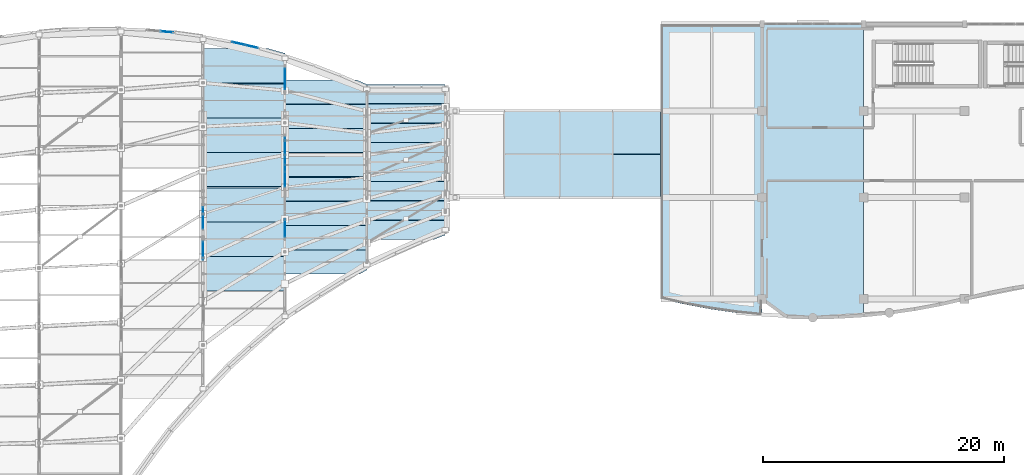
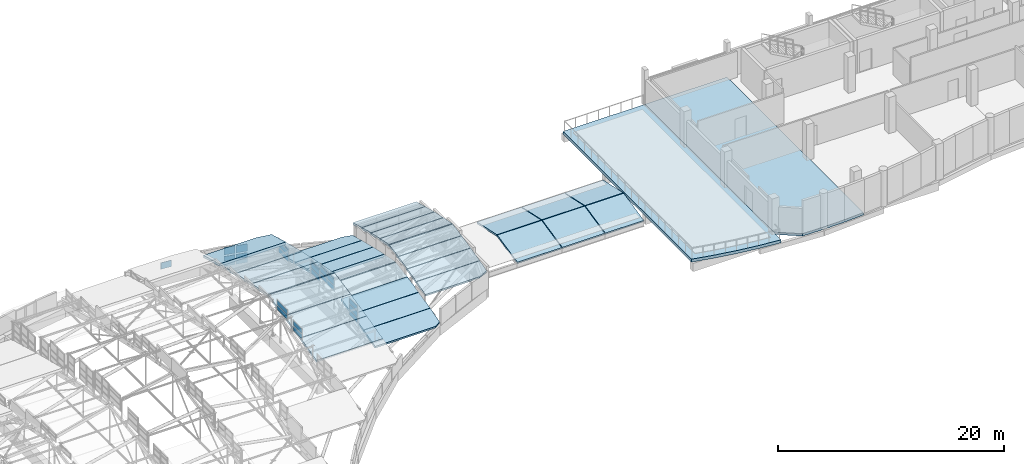
# One storey, part 163 of 188: 31 slabs, 26 plates, 8 elements without a shape of their own.
"""IFC4 building model written with IfcOpenShell, lengths in metres."""

from ifc_helpers import new_model, si_unit, direction, frame, origin, origin_2d, place, context, subcontext, project, spatial, polyline, rectangle, outline, extrude, material, layer, layer_set, type_object, element, aggregate, save


model = new_model("IFC4")

# Units and contexts
model_context = context("Model", 3, precision=1e-05, world=origin(), true_north=direction((0.0, 1.0)))
body_context = subcontext(model_context, "Body", "Model", "MODEL_VIEW")
ifc_project = project(units=[si_unit("LENGTHUNIT", "METRE"), si_unit("AREAUNIT", "SQUARE_METRE"), si_unit("VOLUMEUNIT", "CUBIC_METRE"), si_unit("PLANEANGLEUNIT", "RADIAN"), si_unit("MASSUNIT", "GRAM", prefix="KILO")], contexts=[model_context])

# Site, building, storey
site_placement = place(None, origin())
site = spatial("IfcSite", under=ifc_project, at=site_placement, CompositionType="ELEMENT")
building_placement = place(site_placement, origin())
building = spatial("IfcBuilding", under=site, at=building_placement, Name="Kisaragi Civic Commons", CompositionType="ELEMENT")
storey_placement = place(building_placement, frame((0.0, 0.0, 9.60009765625)))
storey = spatial("IfcBuildingStorey", under=building, at=storey_placement, Name="L02", CompositionType="ELEMENT", Elevation=9.60009765625)

# Curtain wall, plate
ifc_material_1 = material(Name="Thermally broken anodized aluminium and low-E double glazing", Category="aluminium")
ifc_layer_1 = layer(ifc_material_1, 0.2099609375, Name="Thermally broken anodized aluminium and low-E double glazing", Category="aluminium")
ifc_layer_set_1 = layer_set([ifc_layer_1], Name="Thermally broken anodized aluminium and low-E double glazing")
curtain_wall_type_1 = type_object("IfcCurtainWallType", Name="CW-02", PredefinedType="NOTDEFINED", material=ifc_layer_set_1)
curtain_wall_1_placement = place(storey_placement, origin())
curtain_wall_1 = element("IfcCurtainWall", 1, at=curtain_wall_1_placement, inside=storey, type_object=curtain_wall_type_1, Name="L02 curtain wall CW-02 CW-GAB-V2-224", PredefinedType="NOTDEFINED")
ifc_layer_2 = layer(ifc_material_1, 0.052001953125, Name="Thermally broken anodized aluminium and low-E double glazing", Category="aluminium")
ifc_layer_set_2 = layer_set([ifc_layer_2], Name="Thermally broken anodized aluminium and low-E double glazing")
plate_type_1 = type_object("IfcPlateType", Name="CWP-02", PredefinedType="CURTAIN_PANEL", material=ifc_layer_set_2)
plate_1_placement = place(storey_placement, frame((31.006103515625, 118.154541015625, -0.01904296875), z_axis=(0.0, 0.0, 1.0), x_axis=(0.995820521638, -0.091331750688, 0.0)))
plate_1 = element("IfcPlate", 2, at=plate_1_placement, type_object=plate_type_1, Name="CW-02 panel 2.3", PredefinedType="CURTAIN_PANEL", context=body_context, shape_type="SweptSolid", body=[
    extrude(rectangle(XDim=1.044677734375, YDim=0.052001953125, at=origin_2d()), origin(), (0.0, 0.0, 1.0), 0.6962890625),
])
aggregate(curtain_wall_1, [plate_1])

# Curtain wall, plates
curtain_wall_2_placement = place(storey_placement, origin())
curtain_wall_2 = element("IfcCurtainWall", 3, at=curtain_wall_2_placement, inside=storey, type_object=curtain_wall_type_1, Name="L02 curtain wall CW-02 CW-GAB-V2-225", PredefinedType="NOTDEFINED")
plate_2_placement = place(storey_placement, frame((36.9482421875, 117.194580078125, -1.2392578125), z_axis=(0.0, 0.0, 1.0), x_axis=(0.973935448588, -0.226825355689, 0.0)))
plate_2 = element("IfcPlate", 4, at=plate_2_placement, type_object=plate_type_1, Name="CW-02 panel 1.1", PredefinedType="CURTAIN_PANEL", context=body_context, shape_type="SweptSolid", body=[
    extrude(rectangle(XDim=1.044677734375, YDim=0.052001953125, at=origin_2d()), origin(), (0.0, 0.0, 1.0), 0.409912109375),
])
plate_3_placement = place(storey_placement, frame((36.9482421875, 117.194580078125, -0.6689453125), z_axis=(0.0, 0.0, 1.0), x_axis=(0.973935448588, -0.226825355689, 0.0)))
plate_3 = element("IfcPlate", 5, at=plate_3_placement, type_object=plate_type_1, Name="CW-02 panel 1.2", PredefinedType="CURTAIN_PANEL", context=body_context, shape_type="SweptSolid", body=[
    extrude(rectangle(XDim=1.044677734375, YDim=0.052001953125, at=origin_2d()), origin(), (0.0, 0.0, 1.0), 0.489990234375),
])
plate_4_placement = place(storey_placement, frame((36.9482421875, 117.194580078125, -0.01904296875), z_axis=(0.0, 0.0, 1.0), x_axis=(0.973935448588, -0.226825355689, 0.0)))
plate_4 = element("IfcPlate", 6, at=plate_4_placement, type_object=plate_type_1, Name="CW-02 panel 1.3", PredefinedType="CURTAIN_PANEL", context=body_context, shape_type="SweptSolid", body=[
    extrude(rectangle(XDim=1.044677734375, YDim=0.052001953125, at=origin_2d()), origin(), (0.0, 0.0, 1.0), 0.786376953125),
])
plate_5_placement = place(storey_placement, frame((38.03369140625, 116.941650390625, -1.2392578125), z_axis=(0.0, 0.0, 1.0), x_axis=(0.973935448588, -0.226825355689, 0.0)))
plate_5 = element("IfcPlate", 7, at=plate_5_placement, type_object=plate_type_1, Name="CW-02 panel 2.1", PredefinedType="CURTAIN_PANEL", context=body_context, shape_type="SweptSolid", body=[
    extrude(rectangle(XDim=1.044677734375, YDim=0.052001953125, at=origin_2d()), origin(), (0.0, 0.0, 1.0), 0.409912109375),
])
plate_6_placement = place(storey_placement, frame((38.03369140625, 116.941650390625, -0.6689453125), z_axis=(0.0, 0.0, 1.0), x_axis=(0.973935448588, -0.226825355689, 0.0)))
plate_6 = element("IfcPlate", 8, at=plate_6_placement, type_object=plate_type_1, Name="CW-02 panel 2.2", PredefinedType="CURTAIN_PANEL", context=body_context, shape_type="SweptSolid", body=[
    extrude(rectangle(XDim=1.044677734375, YDim=0.052001953125, at=origin_2d()), origin(), (0.0, 0.0, 1.0), 0.489990234375),
])
plate_7_placement = place(storey_placement, frame((38.03369140625, 116.941650390625, -0.01904296875), z_axis=(0.0, 0.0, 1.0), x_axis=(0.973935448588, -0.226825355689, 0.0)))
plate_7 = element("IfcPlate", 9, at=plate_7_placement, type_object=plate_type_1, Name="CW-02 panel 2.3", PredefinedType="CURTAIN_PANEL", context=body_context, shape_type="SweptSolid", body=[
    extrude(rectangle(XDim=1.044677734375, YDim=0.052001953125, at=origin_2d()), origin(), (0.0, 0.0, 1.0), 0.786376953125),
])
aggregate(curtain_wall_2, [plate_2, plate_3, plate_4, plate_5, plate_6, plate_7])

ifc_layer_3 = layer(ifc_material_1, 0.14990234375, Name="Thermally broken anodized aluminium and low-E double glazing", Category="aluminium")
ifc_layer_set_3 = layer_set([ifc_layer_3], Name="Thermally broken anodized aluminium and low-E double glazing")
curtain_wall_type_2 = type_object("IfcCurtainWallType", Name="CW-03", PredefinedType="NOTDEFINED", material=ifc_layer_set_3)
curtain_wall_3_placement = place(storey_placement, origin())
curtain_wall_3 = element("IfcCurtainWall", 10, at=curtain_wall_3_placement, inside=storey, type_object=curtain_wall_type_2, Name="L02 curtain wall CW-03 CW-CL-V2-212", PredefinedType="NOTDEFINED")
ifc_layer_4 = layer(ifc_material_1, 0.0380859375, Name="Thermally broken anodized aluminium and low-E double glazing", Category="aluminium")
ifc_layer_set_4 = layer_set([ifc_layer_4], Name="Thermally broken anodized aluminium and low-E double glazing")
plate_type_2 = type_object("IfcPlateType", Name="CWP-03", PredefinedType="CURTAIN_PANEL", material=ifc_layer_set_4)
plate_8_placement = place(storey_placement, frame((34.0, 102.703857421875, 3.252685546875), z_axis=(0.0, 0.0, 1.0), x_axis=(0.0, 1.0, 0.0)))
plate_8 = element("IfcPlate", 11, at=plate_8_placement, type_object=plate_type_2, Name="CW-03 panel 1.1", PredefinedType="CURTAIN_PANEL", context=body_context, shape_type="SweptSolid", body=[
    extrude(rectangle(XDim=1.806396484375, YDim=0.0380859375, at=origin_2d()), origin(), (0.0, 0.0, 1.0), 0.44921875),
])
plate_9_placement = place(storey_placement, frame((34.0, 102.703857421875, 3.82177734375), z_axis=(0.0, 0.0, 1.0), x_axis=(0.0, 1.0, 0.0)))
plate_9 = element("IfcPlate", 12, at=plate_9_placement, type_object=plate_type_2, Name="CW-03 panel 1.2", PredefinedType="CURTAIN_PANEL", context=body_context, shape_type="SweptSolid", body=[
    extrude(rectangle(XDim=1.806396484375, YDim=0.0380859375, at=origin_2d()), origin(), (0.0, 0.0, 1.0), 0.44921875),
])
aggregate(curtain_wall_3, [plate_8, plate_9])

curtain_wall_4_placement = place(storey_placement, origin())
curtain_wall_4 = element("IfcCurtainWall", 13, at=curtain_wall_4_placement, inside=storey, type_object=curtain_wall_type_2, Name="L02 curtain wall CW-03 CW-CL-V2-214", PredefinedType="NOTDEFINED")
plate_10_placement = place(storey_placement, frame((40.800048828125, 101.88623046875, 0.9521484375), z_axis=(0.0, 0.0, 1.0), x_axis=(0.0, 1.0, 0.0)))
plate_10 = element("IfcPlate", 14, at=plate_10_placement, type_object=plate_type_2, Name="CW-03 panel 1.1", PredefinedType="CURTAIN_PANEL", context=body_context, shape_type="SweptSolid", body=[
    extrude(rectangle(XDim=1.42822265625, YDim=0.0380859375, at=origin_2d()), origin(), (0.0, 0.0, 1.0), 0.469970703125),
])
plate_11_placement = place(storey_placement, frame((40.800048828125, 101.88623046875, 1.54248046875), z_axis=(0.0, 0.0, 1.0), x_axis=(0.0, 1.0, 0.0)))
plate_11 = element("IfcPlate", 15, at=plate_11_placement, type_object=plate_type_2, Name="CW-03 panel 1.2", PredefinedType="CURTAIN_PANEL", context=body_context, shape_type="SweptSolid", body=[
    extrude(rectangle(XDim=1.42822265625, YDim=0.0380859375, at=origin_2d()), origin(), (0.0, 0.0, 1.0), 0.530029296875),
])
plate_12_placement = place(storey_placement, frame((40.800048828125, 101.88623046875, 2.1923828125), z_axis=(0.0, 0.0, 1.0), x_axis=(0.0, 1.0, 0.0)))
plate_12 = element("IfcPlate", 16, at=plate_12_placement, type_object=plate_type_2, Name="CW-03 panel 1.3", PredefinedType="CURTAIN_PANEL", context=body_context, shape_type="SweptSolid", body=[
    extrude(rectangle(XDim=1.42822265625, YDim=0.0380859375, at=origin_2d()), origin(), (0.0, 0.0, 1.0), 0.536376953125),
])
aggregate(curtain_wall_4, [plate_10, plate_11, plate_12])

curtain_wall_5_placement = place(storey_placement, origin())
curtain_wall_5 = element("IfcCurtainWall", 17, at=curtain_wall_5_placement, inside=storey, type_object=curtain_wall_type_2, Name="L02 curtain wall CW-03 CW-CL-V2-216", PredefinedType="NOTDEFINED")
plate_13_placement = place(storey_placement, frame((40.800048828125, 105.915283203125, 1.88330078125), z_axis=(0.0, 0.0, 1.0), x_axis=(0.0, 1.0, 0.0)))
plate_13 = element("IfcPlate", 18, at=plate_13_placement, type_object=plate_type_2, Name="CW-03 panel 1.1", PredefinedType="CURTAIN_PANEL", context=body_context, shape_type="SweptSolid", body=[
    extrude(rectangle(XDim=1.186767578125, YDim=0.0380859375, at=origin_2d()), origin(), (0.0, 0.0, 1.0), 0.469970703125),
])
plate_14_placement = place(storey_placement, frame((40.800048828125, 105.915283203125, 2.47314453125), z_axis=(0.0, 0.0, 1.0), x_axis=(0.0, 1.0, 0.0)))
plate_14 = element("IfcPlate", 19, at=plate_14_placement, type_object=plate_type_2, Name="CW-03 panel 1.2", PredefinedType="CURTAIN_PANEL", context=body_context, shape_type="SweptSolid", body=[
    extrude(rectangle(XDim=1.186767578125, YDim=0.0380859375, at=origin_2d()), origin(), (0.0, 0.0, 1.0), 0.530029296875),
])
plate_15_placement = place(storey_placement, frame((40.800048828125, 105.915283203125, 3.12353515625), z_axis=(0.0, 0.0, 1.0), x_axis=(0.0, 1.0, 0.0)))
plate_15 = element("IfcPlate", 20, at=plate_15_placement, type_object=plate_type_2, Name="CW-03 panel 1.3", PredefinedType="CURTAIN_PANEL", context=body_context, shape_type="SweptSolid", body=[
    extrude(rectangle(XDim=1.186767578125, YDim=0.0380859375, at=origin_2d()), origin(), (0.0, 0.0, 1.0), 0.139404296875),
])
plate_16_placement = place(storey_placement, frame((40.800048828125, 107.161865234375, 1.88330078125), z_axis=(0.0, 0.0, 1.0), x_axis=(0.0, 1.0, 0.0)))
plate_16 = element("IfcPlate", 21, at=plate_16_placement, type_object=plate_type_2, Name="CW-03 panel 2.1", PredefinedType="CURTAIN_PANEL", context=body_context, shape_type="SweptSolid", body=[
    extrude(rectangle(XDim=1.186767578125, YDim=0.0380859375, at=origin_2d()), origin(), (0.0, 0.0, 1.0), 0.469970703125),
])
plate_17_placement = place(storey_placement, frame((40.800048828125, 107.161865234375, 2.47314453125), z_axis=(0.0, 0.0, 1.0), x_axis=(0.0, 1.0, 0.0)))
plate_17 = element("IfcPlate", 22, at=plate_17_placement, type_object=plate_type_2, Name="CW-03 panel 2.2", PredefinedType="CURTAIN_PANEL", context=body_context, shape_type="SweptSolid", body=[
    extrude(rectangle(XDim=1.186767578125, YDim=0.0380859375, at=origin_2d()), origin(), (0.0, 0.0, 1.0), 0.530029296875),
])
plate_18_placement = place(storey_placement, frame((40.800048828125, 107.161865234375, 3.12353515625), z_axis=(0.0, 0.0, 1.0), x_axis=(0.0, 1.0, 0.0)))
plate_18 = element("IfcPlate", 23, at=plate_18_placement, type_object=plate_type_2, Name="CW-03 panel 2.3", PredefinedType="CURTAIN_PANEL", context=body_context, shape_type="SweptSolid", body=[
    extrude(rectangle(XDim=1.186767578125, YDim=0.0380859375, at=origin_2d()), origin(), (0.0, 0.0, 1.0), 0.139404296875),
])
aggregate(curtain_wall_5, [plate_13, plate_14, plate_15, plate_16, plate_17, plate_18])

curtain_wall_6_placement = place(storey_placement, origin())
curtain_wall_6 = element("IfcCurtainWall", 24, at=curtain_wall_6_placement, inside=storey, type_object=curtain_wall_type_2, Name="L02 curtain wall CW-03 CW-CL-V2-211", PredefinedType="NOTDEFINED")
ifc_layer_5 = layer(ifc_material_1, 0.041015625, Name="Thermally broken anodized aluminium and low-E double glazing", Category="aluminium")
ifc_layer_set_5 = layer_set([ifc_layer_5], Name="Thermally broken anodized aluminium and low-E double glazing")
plate_type_3 = type_object("IfcPlateType", Name="CWP-11", PredefinedType="CURTAIN_PANEL", material=ifc_layer_set_5)
plate_19_placement = place(storey_placement, frame((34.0, 99.982421875, 2.700439453125), z_axis=(0.0, 0.0, 1.0), x_axis=(0.0, 1.0, 0.0)))
plate_19 = element("IfcPlate", 25, at=plate_19_placement, type_object=plate_type_3, Name="CW-03 panel 1.1", PredefinedType="CURTAIN_PANEL", context=body_context, shape_type="SweptSolid", body=[
    extrude(rectangle(XDim=1.499755859375, YDim=0.041015625, at=origin_2d()), origin(), (0.0, 0.0, 1.0), 0.4755859375),
])
plate_20_placement = place(storey_placement, frame((34.0, 99.982421875, 3.296142578125), z_axis=(0.0, 0.0, 1.0), x_axis=(0.0, 1.0, 0.0)))
plate_20 = element("IfcPlate", 26, at=plate_20_placement, type_object=plate_type_3, Name="CW-03 panel 1.2", PredefinedType="CURTAIN_PANEL", context=body_context, shape_type="SweptSolid", body=[
    extrude(rectangle(XDim=1.499755859375, YDim=0.041015625, at=origin_2d()), origin(), (0.0, 0.0, 1.0), 0.4755859375),
])
aggregate(curtain_wall_6, [plate_19, plate_20])

curtain_wall_7_placement = place(storey_placement, origin())
curtain_wall_7 = element("IfcCurtainWall", 27, at=curtain_wall_7_placement, inside=storey, type_object=curtain_wall_type_2, Name="L02 curtain wall CW-03 CW-CL-V2-217", PredefinedType="NOTDEFINED")
plate_21_placement = place(storey_placement, frame((40.800048828125, 108.628173828125, 1.35546875), z_axis=(0.0, 0.0, 1.0), x_axis=(0.0, 1.0, 0.0)))
plate_21 = element("IfcPlate", 28, at=plate_21_placement, type_object=plate_type_3, Name="CW-03 panel 1.1", PredefinedType="CURTAIN_PANEL", context=body_context, shape_type="SweptSolid", body=[
    extrude(rectangle(XDim=1.45751953125, YDim=0.041015625, at=origin_2d()), origin(), (0.0, 0.0, 1.0), 0.469970703125),
])
plate_22_placement = place(storey_placement, frame((40.800048828125, 108.628173828125, 1.9453125), z_axis=(0.0, 0.0, 1.0), x_axis=(0.0, 1.0, 0.0)))
plate_22 = element("IfcPlate", 29, at=plate_22_placement, type_object=plate_type_3, Name="CW-03 panel 1.2", PredefinedType="CURTAIN_PANEL", context=body_context, shape_type="SweptSolid", body=[
    extrude(rectangle(XDim=1.45751953125, YDim=0.041015625, at=origin_2d()), origin(), (0.0, 0.0, 1.0), 0.530029296875),
])
plate_23_placement = place(storey_placement, frame((40.800048828125, 108.628173828125, 2.595458984375), z_axis=(0.0, 0.0, 1.0), x_axis=(0.0, 1.0, 0.0)))
plate_23 = element("IfcPlate", 30, at=plate_23_placement, type_object=plate_type_3, Name="CW-03 panel 1.3", PredefinedType="CURTAIN_PANEL", context=body_context, shape_type="SweptSolid", body=[
    extrude(rectangle(XDim=1.45751953125, YDim=0.041015625, at=origin_2d()), origin(), (0.0, 0.0, 1.0), 0.1396484375),
])
aggregate(curtain_wall_7, [plate_21, plate_22, plate_23])

curtain_wall_8_placement = place(storey_placement, origin())
curtain_wall_8 = element("IfcCurtainWall", 31, at=curtain_wall_8_placement, inside=storey, type_object=curtain_wall_type_2, Name="L02 curtain wall CW-03 CW-CL-V2-219", PredefinedType="NOTDEFINED")
plate_24_placement = place(storey_placement, frame((40.800048828125, 114.249267578125, 0.125), z_axis=(0.0, 0.0, 1.0), x_axis=(0.0, 1.0, 0.0)))
plate_24 = element("IfcPlate", 32, at=plate_24_placement, type_object=plate_type_3, Name="CW-03 panel 1.1", PredefinedType="CURTAIN_PANEL", context=body_context, shape_type="SweptSolid", body=[
    extrude(rectangle(XDim=1.714599609375, YDim=0.041015625, at=origin_2d()), origin(), (0.0, 0.0, 1.0), 0.469970703125),
])
plate_25_placement = place(storey_placement, frame((40.800048828125, 114.249267578125, 0.71484375), z_axis=(0.0, 0.0, 1.0), x_axis=(0.0, 1.0, 0.0)))
plate_25 = element("IfcPlate", 33, at=plate_25_placement, type_object=plate_type_3, Name="CW-03 panel 1.2", PredefinedType="CURTAIN_PANEL", context=body_context, shape_type="SweptSolid", body=[
    extrude(rectangle(XDim=1.714599609375, YDim=0.041015625, at=origin_2d()), origin(), (0.0, 0.0, 1.0), 0.530029296875),
])
plate_26_placement = place(storey_placement, frame((40.800048828125, 114.249267578125, 1.36474609375), z_axis=(0.0, 0.0, 1.0), x_axis=(0.0, 1.0, 0.0)))
plate_26 = element("IfcPlate", 34, at=plate_26_placement, type_object=plate_type_3, Name="CW-03 panel 1.3", PredefinedType="CURTAIN_PANEL", context=body_context, shape_type="SweptSolid", body=[
    extrude(rectangle(XDim=1.714599609375, YDim=0.041015625, at=origin_2d()), origin(), (0.0, 0.0, 1.0), 0.126708984375),
])
aggregate(curtain_wall_8, [plate_24, plate_25, plate_26])

# Slabs
ifc_material_2 = material(Name="Concrete Fc30", Category="concrete")
ifc_layer_6 = layer(ifc_material_2, 0.260009765625, Name="Concrete Fc30", Category="concrete")
ifc_layer_set_6 = layer_set([ifc_layer_6], Name="Concrete Fc30")
slab_type_1 = type_object("IfcSlabType", Name="SL-F2", PredefinedType="FLOOR", material=ifc_layer_set_6)
slab_1_placement = place(storey_placement, frame((0.0, 0.0, -0.260009765625)))
element("IfcSlab", 35, at=slab_1_placement, inside=storey, type_object=slab_type_1, Name="V4 L02 slab SL-F2 46", PredefinedType="FLOOR", context=body_context, shape_type="SweptSolid", body=[
    extrude(outline(polyline([(80.39990234375, 118.800048828125), (80.39990234375, 96.0), (82.4794921875, 94.49365234375), (84.60009765625, 94.450439453125), (86.720458984375, 94.49365234375), (88.800048828125, 94.62109375), (88.800048828125, 118.800048828125), (80.39990234375, 118.800048828125)])), origin(), (0.0, 0.0, 1.0), 0.260009765625),
])
ifc_layer_7 = layer(ifc_material_2, 0.18994140625, Name="Concrete Fc30", Category="concrete")
ifc_layer_set_7 = layer_set([ifc_layer_7], Name="Concrete Fc30")
slab_type_2 = type_object("IfcSlabType", Name="SL-RF2", PredefinedType="ROOF", material=ifc_layer_set_7)
for number, where, z_axis, x_axis, name in (
    (36, (59.030029296875, 104.39990234375, -0.89013671875), (0.0, -0.214730544714, 0.976673329812), (1.0, 0.0, 0.0), "BR-V4-V2 gable roof facet 1"),
    (37, (59.030029296875, 108.030029296875, -0.105224609375), (0.0, 0.214730544714, 0.976673329812), (1.0, 0.0, 0.0), "BR-V4-V2 gable roof facet 2"),
):
    element("IfcSlab", number, at=place(storey_placement, frame(where, z_axis=z_axis, x_axis=x_axis)), inside=storey, type_object=slab_type_2, Name=name, PredefinedType="ROOF", context=body_context, shape_type="SweptSolid", body=[
        extrude(outline(polyline([(0.0, 0.0), (4.5400390625, 0.0), (4.5400390625, 3.655335157007359), (0.0, 3.655335157007359), (0.0, 0.0)])), origin(), (0.0, 0.0, -1.0), 0.18994140625),
    ])
for number, where, z_axis, x_axis, name in (
    (38, (63.6298828125, 104.39990234375, -0.89013671875), (0.0, -0.214730544714, 0.976673329812), (1.0, 0.0, 0.0), "BR-V4-V2 gable roof facet 3"),
    (39, (63.6298828125, 108.030029296875, -0.105224609375), (0.0, 0.214730544714, 0.976673329812), (1.0, 0.0, 0.0), "BR-V4-V2 gable roof facet 4"),
):
    element("IfcSlab", number, at=place(storey_placement, frame(where, z_axis=z_axis, x_axis=x_axis)), inside=storey, type_object=slab_type_2, Name=name, PredefinedType="ROOF", context=body_context, shape_type="SweptSolid", body=[
        extrude(outline(polyline([(0.0, 0.0), (4.340087890625, 0.0), (4.340087890625, 3.655335157007359), (0.0, 3.655335157007359), (0.0, 0.0)])), origin(), (0.0, 0.0, -1.0), 0.18994140625),
    ])
for number, where, z_axis, x_axis, name in (
    (40, (68.030029296875, 104.39990234375, -0.89013671875), (0.0, -0.214730544714, 0.976673329812), (1.0, 0.0, 0.0), "BR-V4-V2 gable roof facet 5"),
    (41, (68.030029296875, 108.030029296875, -0.105224609375), (0.0, 0.214730544714, 0.976673329812), (1.0, 0.0, 0.0), "BR-V4-V2 gable roof facet 6"),
):
    element("IfcSlab", number, at=place(storey_placement, frame(where, z_axis=z_axis, x_axis=x_axis)), inside=storey, type_object=slab_type_2, Name=name, PredefinedType="ROOF", context=body_context, shape_type="SweptSolid", body=[
        extrude(outline(polyline([(0.0, 0.0), (3.93994140625, 0.0), (3.93994140625, 3.655335157007359), (0.0, 3.655335157007359), (0.0, 0.0)])), origin(), (0.0, 0.0, -1.0), 0.18994140625),
    ])
ifc_layer_8 = layer(ifc_material_2, 0.320068359375, Name="Concrete Fc30", Category="concrete")
ifc_layer_set_8 = layer_set([ifc_layer_8], Name="Concrete Fc30")
slab_type_3 = type_object("IfcSlabType", Name="SL-TR1", PredefinedType="FLOOR", material=ifc_layer_set_8)
slab_2_placement = place(storey_placement, frame((0.0, 0.0, -0.320068359375)))
element("IfcSlab", 42, at=slab_2_placement, inside=storey, type_object=slab_type_3, Name="V4 L02 planted roof terrace slab 56", PredefinedType="FLOOR", context=body_context, shape_type="SweptSolid", body=[
    extrude(outline(polyline([(72.0, 96.0), (74.06787109375, 95.528076171875), (76.153076171875, 95.14111328125), (78.25244140625, 94.839111328125), (80.362548828125, 94.623291015625), (80.39990234375, 96.0), (80.39990234375, 118.800048828125), (72.0, 118.800048828125), (72.0, 96.0)])), origin(), (0.0, 0.0, 1.0), 0.320068359375),
])
ifc_layer_9 = layer(ifc_material_2, 0.238037109375, Name="Concrete Fc30", Category="concrete")
ifc_layer_set_9 = layer_set([ifc_layer_9], Name="Concrete Fc30")
slab_type_4 = type_object("IfcSlabType", Name="SL-WV2", PredefinedType="ROOF", material=ifc_layer_set_9)
slab_3_placement = place(storey_placement, frame((40.794921875, 99.5048828125, 2.64990234375), z_axis=(0.0, -0.241949887573, 0.970288746664), x_axis=(-1.0, 0.0, 0.0)))
element("IfcSlab", 43, at=slab_3_placement, inside=storey, type_object=slab_type_4, Name="V2 continuous wave vault facet 6.2", PredefinedType="ROOF", context=body_context, shape_type="SweptSolid", body=[
    extrude(outline(polyline([(0.0, 0.0), (6.7900390625, 0.0), (6.7900390625, 2.942402948158057), (0.0, 2.942402948158057), (0.0, 0.0)])), origin(), (0.0, 0.0, -1.0), 0.238037109375),
])
slab_4_placement = place(storey_placement, frame((40.794921875, 102.379638671875, 3.28759765625), z_axis=(0.0, -0.216497255319, 0.976283226548), x_axis=(-1.0, 0.0, 0.0)))
element("IfcSlab", 44, at=slab_4_placement, inside=storey, type_object=slab_type_4, Name="V2 continuous wave vault facet 6.3", PredefinedType="ROOF", context=body_context, shape_type="SweptSolid", body=[
    extrude(outline(polyline([(0.0, 0.0), (6.7900390625, 0.0), (6.7900390625, 2.9240862185229797), (0.0, 2.9240862185229797), (0.0, 0.0)])), origin(), (0.0, 0.0, -1.0), 0.238037109375),
])
slab_5_placement = place(storey_placement, frame((40.794921875, 105.212646484375, 3.83837890625), z_axis=(0.0, -0.19075563979, 0.981637553218), x_axis=(-1.0, 0.0, 0.0)))
element("IfcSlab", 45, at=slab_5_placement, inside=storey, type_object=slab_type_4, Name="V2 continuous wave vault facet 6.4", PredefinedType="ROOF", context=body_context, shape_type="SweptSolid", body=[
    extrude(outline(polyline([(0.0, 0.0), (6.7900390625, 0.0), (6.7900390625, 2.8656078529468894), (0.0, 2.8656078529468894), (0.0, 0.0)])), origin(), (0.0, 0.0, -1.0), 0.238037109375),
])
slab_6_placement = place(storey_placement, frame((40.794921875, 108.12939453125, 3.291748046875), z_axis=(0.0, 0.190771594447, 0.981634452712), x_axis=(-1.0, 0.0, 0.0)))
element("IfcSlab", 46, at=slab_6_placement, inside=storey, type_object=slab_type_4, Name="V2 continuous wave vault facet 6.5", PredefinedType="ROOF", context=body_context, shape_type="SweptSolid", body=[
    extrude(outline(polyline([(0.0, 0.0), (6.7900390625, 0.0), (6.7900390625, 2.865368195719587), (0.0, 2.865368195719587), (0.0, 0.0)])), origin(), (0.0, 0.0, -1.0), 0.238037109375),
])
slab_7_placement = place(storey_placement, frame((40.794921875, 111.00439453125, 2.654541015625), z_axis=(0.0, 0.216479609428, 0.976287139474), x_axis=(-1.0, 0.0, 0.0)))
element("IfcSlab", 47, at=slab_7_placement, inside=storey, type_object=slab_type_4, Name="V2 continuous wave vault facet 6.6", PredefinedType="ROOF", context=body_context, shape_type="SweptSolid", body=[
    extrude(outline(polyline([(0.0, 0.0), (6.7900390625, 0.0), (6.7900390625, 2.9243245693977573), (0.0, 2.9243245693977573), (0.0, 0.0)])), origin(), (0.0, 0.0, -1.0), 0.238037109375),
])
slab_8_placement = place(storey_placement, frame((40.794921875, 113.879150390625, 1.93798828125), z_axis=(0.0, 0.241969367987, 0.970283888847), x_axis=(-1.0, 0.0, 0.0)))
element("IfcSlab", 48, at=slab_8_placement, inside=storey, type_object=slab_type_4, Name="V2 continuous wave vault facet 6.7", PredefinedType="ROOF", context=body_context, shape_type="SweptSolid", body=[
    extrude(outline(polyline([(0.0, 0.0), (6.7900390625, 0.0), (6.7900390625, 2.9421660618499867), (0.0, 2.9421660618499867), (0.0, 0.0)])), origin(), (0.0, 0.0, -1.0), 0.238037109375),
])
slab_9_placement = place(storey_placement, frame((39.46337890625, 116.756103515625, 1.140625), z_axis=(-1.097811e-06, 0.267218645401, 0.963635924791), x_axis=(-0.999999999999, -2.93355e-07, -1.05789e-06)))
element("IfcSlab", 49, at=slab_9_placement, inside=storey, type_object=slab_type_4, Name="V2 continuous wave vault facet 6.8", PredefinedType="ROOF", context=body_context, shape_type="SweptSolid", body=[
    extrude(outline(polyline([(0.0, 0.0), (5.458496093746711, 0.0), (5.458496093745106, 2.964744164122115), (-1.3315429687508027, 2.964744164122115), (-1.3315429687655642, 0.38915525474160023), (0.0, 0.0)])), origin(), (0.0, 0.0, -1.0), 0.238037109375),
])
slab_10_placement = place(storey_placement, frame((47.594970703125, 100.057373046875, 0.779296875), z_axis=(5.845359e-06, -0.267171774741, 0.963648920898), x_axis=(-0.999999999983, -1.561715e-06, 5.632874e-06)))
element("IfcSlab", 50, at=slab_10_placement, inside=storey, type_object=slab_type_4, Name="V2 continuous wave vault facet 7.1", PredefinedType="ROOF", context=body_context, shape_type="SweptSolid", body=[
    extrude(outline(polyline([(0.0, 0.0), (6.790039062383999, 0.0), (6.790039062404553, 2.0734168763819243), (0.6015625000102772, 2.0734168763819243), (-4.4345278793386824e-10, 1.7286292932658482), (0.0, 0.0)])), origin(), (0.0, 0.0, -1.0), 0.238037109375),
])
slab_11_placement = place(storey_placement, frame((47.594970703125, 102.073486328125, 1.2822265625), z_axis=(0.0, -0.241865386564, 0.970309813813), x_axis=(-1.0, 0.0, 0.0)))
element("IfcSlab", 51, at=slab_11_placement, inside=storey, type_object=slab_type_4, Name="V2 continuous wave vault facet 7.2", PredefinedType="ROOF", context=body_context, shape_type="SweptSolid", body=[
    extrude(outline(polyline([(0.0, 0.0), (6.7900390625, 0.0), (6.7900390625, 2.057171556531817), (0.0, 2.057171556531817), (0.0, 0.0)])), origin(), (0.0, 0.0, -1.0), 0.238037109375),
])
slab_12_placement = place(storey_placement, frame((47.594970703125, 104.089599609375, 1.7294921875), z_axis=(0.0, -0.216374104287, 0.976310527954), x_axis=(-1.0, 0.0, 0.0)))
element("IfcSlab", 52, at=slab_12_placement, inside=storey, type_object=slab_type_4, Name="V2 continuous wave vault facet 7.3", PredefinedType="ROOF", context=body_context, shape_type="SweptSolid", body=[
    extrude(outline(polyline([(0.0, 0.0), (6.7900390625, 0.0), (6.7900390625, 2.0445275277150152), (0.0, 2.0445275277150152), (0.0, 0.0)])), origin(), (0.0, 0.0, -1.0), 0.238037109375),
])
slab_13_placement = place(storey_placement, frame((47.594970703125, 106.063720703125, 2.113525390625), z_axis=(0.0, -0.190830267756, 0.981623048277), x_axis=(-1.0, 0.0, 0.0)))
element("IfcSlab", 53, at=slab_13_placement, inside=storey, type_object=slab_type_4, Name="V2 continuous wave vault facet 7.4", PredefinedType="ROOF", context=body_context, shape_type="SweptSolid", body=[
    extrude(outline(polyline([(0.0, 0.0), (6.7900390625, 0.0), (6.7900390625, 1.9906842712489219), (0.0, 1.9906842712489219), (0.0, 0.0)])), origin(), (0.0, 0.0, -1.0), 0.238037109375),
])
slab_14_placement = place(storey_placement, frame((47.594970703125, 108.12158203125, 1.733642578125), z_axis=(0.0, 0.190853244102, 0.981618581332), x_axis=(-1.0, 0.0, 0.0)))
element("IfcSlab", 54, at=slab_14_placement, inside=storey, type_object=slab_type_4, Name="V2 continuous wave vault facet 7.5", PredefinedType="ROOF", context=body_context, shape_type="SweptSolid", body=[
    extrude(outline(polyline([(0.0, 0.0), (6.7900390625, 0.0), (6.7900390625, 1.9904446177296498), (0.0, 1.9904446177296498), (0.0, 0.0)])), origin(), (0.0, 0.0, -1.0), 0.238037109375),
])
slab_15_placement = place(storey_placement, frame((47.594970703125, 110.1376953125, 1.287109375), z_axis=(0.0, 0.216374104287, 0.976310527954), x_axis=(-1.0, 0.0, 0.0)))
element("IfcSlab", 55, at=slab_15_placement, inside=storey, type_object=slab_type_4, Name="V2 continuous wave vault facet 7.6", PredefinedType="ROOF", context=body_context, shape_type="SweptSolid", body=[
    extrude(outline(polyline([(0.0, 0.0), (6.7900390625, 0.0), (6.7900390625, 2.0445275277150152), (0.0, 2.0445275277150152), (0.0, 0.0)])), origin(), (0.0, 0.0, -1.0), 0.238037109375),
])
slab_16_placement = place(storey_placement, frame((47.594970703125, 112.15380859375, 0.78466796875), z_axis=(0.0, 0.241865386564, 0.970309813813), x_axis=(-1.0, 0.0, 0.0)))
element("IfcSlab", 56, at=slab_16_placement, inside=storey, type_object=slab_type_4, Name="V2 continuous wave vault facet 7.7", PredefinedType="ROOF", context=body_context, shape_type="SweptSolid", body=[
    extrude(outline(polyline([(0.0, 0.0), (6.7900390625, 0.0), (6.7900390625, 2.057171556531817), (0.0, 2.057171556531817), (0.0, 0.0)])), origin(), (0.0, 0.0, -1.0), 0.238037109375),
])
slab_17_placement = place(storey_placement, frame((46.740234375, 114.172119140625, 0.22509765625), z_axis=(-1.1833168e-05, 0.267244456093, 0.963628766978), x_axis=(-0.99999999993, -3.162349e-06, -1.1402781e-05)))
element("IfcSlab", 57, at=slab_17_placement, inside=storey, type_object=slab_type_4, Name="V2 continuous wave vault facet 7.8", PredefinedType="ROOF", context=body_context, shape_type="SweptSolid", body=[
    extrude(outline(polyline([(0.0, 0.0), (5.935302733959459, 0.0), (5.935302733839775, 2.0737173763771204), (-0.8547363281848418, 2.0737173763771204), (-0.8547363299666934, 0.3876784441960529), (0.0, 0.0)])), origin(), (0.0, 0.0, -1.0), 0.238037109375),
])
slab_18_placement = place(storey_placement, frame((54.094970703125, 102.519775390625, 2.150390625), z_axis=(1.577692e-06, -0.267293966854, 0.963615034794), x_axis=(-0.999999999999, -4.21708e-07, 1.520288e-06)))
element("IfcSlab", 58, at=slab_18_placement, inside=storey, type_object=slab_type_4, Name="V2 continuous wave vault facet 8.1", PredefinedType="ROOF", context=body_context, shape_type="SweptSolid", body=[
    extrude(outline(polyline([(0.0, 0.0), (6.489990234366923, -3.4357722224214273e-22), (6.48999023436927, 1.6513941134930366), (0.9428710937511734, 1.6513941134930366), (-2.996171711466165e-11, 1.2759216276669731), (0.0, 0.0)])), origin(), (0.0, 0.0, -1.0), 0.238037109375),
])
slab_19_placement = place(storey_placement, frame((54.094970703125, 104.12890625, 2.5517578125), z_axis=(0.0, -0.241939302448, 0.970291386095), x_axis=(-1.0, 0.0, 0.0)))
element("IfcSlab", 59, at=slab_19_placement, inside=storey, type_object=slab_type_4, Name="V2 continuous wave vault facet 8.2", PredefinedType="ROOF", context=body_context, shape_type="SweptSolid", body=[
    extrude(outline(polyline([(0.0, 0.0), (6.489990234375, 0.0), (6.489990234375, 1.6377671191328627), (0.0, 1.6377671191328627), (0.0, 0.0)])), origin(), (0.0, 0.0, -1.0), 0.238037109375),
])
slab_20_placement = place(storey_placement, frame((54.094970703125, 105.738037109375, 2.908935546875), z_axis=(0.0, -0.216581062709, 0.976264637932), x_axis=(-1.0, 0.0, 0.0)))
element("IfcSlab", 60, at=slab_20_placement, inside=storey, type_object=slab_type_4, Name="V2 continuous wave vault facet 8.3", PredefinedType="ROOF", context=body_context, shape_type="SweptSolid", body=[
    extrude(outline(polyline([(0.0, 0.0), (6.489990234375, 0.0), (6.489990234375, 1.6277464801877413), (0.0, 1.6277464801877413), (0.0, 0.0)])), origin(), (0.0, 0.0, -1.0), 0.238037109375),
])
for number, where, z_axis, x_axis, name in (
    (61, (54.094970703125, 107.305419921875, 3.213623046875), (0.0, -0.190662374958, 0.981655672207), (-1.0, 0.0, 0.0), "V2 continuous wave vault facet 8.4"),
    (62, (54.094970703125, 108.95654296875, 2.9130859375), (0.0, 0.190662374958, 0.981655672207), (-1.0, 0.0, 0.0), "V2 continuous wave vault facet 8.5"),
):
    element("IfcSlab", number, at=place(storey_placement, frame(where, z_axis=z_axis, x_axis=x_axis)), inside=storey, type_object=slab_type_4, Name=name, PredefinedType="ROOF", context=body_context, shape_type="SweptSolid", body=[
        extrude(outline(polyline([(0.0, 0.0), (6.489990234375, 0.0), (6.489990234375, 1.5762790610397157), (0.0, 1.5762790610397157), (0.0, 0.0)])), origin(), (0.0, 0.0, -1.0), 0.238037109375),
    ])
slab_21_placement = place(storey_placement, frame((54.094970703125, 110.56591796875, 2.556396484375), z_axis=(0.0, 0.216549353946, 0.976271671875), x_axis=(-1.0, 0.0, 0.0)))
element("IfcSlab", 63, at=slab_21_placement, inside=storey, type_object=slab_type_4, Name="V2 continuous wave vault facet 8.6", PredefinedType="ROOF", context=body_context, shape_type="SweptSolid", body=[
    extrude(outline(polyline([(0.0, 0.0), (6.489990234375, 0.0), (6.489990234375, 1.6279848269053097), (0.0, 1.6279848269053097), (0.0, 0.0)])), origin(), (0.0, 0.0, -1.0), 0.238037109375),
])
slab_22_placement = place(storey_placement, frame((54.094970703125, 112.175048828125, 2.155517578125), z_axis=(0.0, 0.241904313116, 0.970300109912), x_axis=(-1.0, 0.0, 0.0)))
element("IfcSlab", 64, at=slab_22_placement, inside=storey, type_object=slab_type_4, Name="V2 continuous wave vault facet 8.7", PredefinedType="ROOF", context=body_context, shape_type="SweptSolid", body=[
    extrude(outline(polyline([(0.0, 0.0), (6.489990234375, 0.0), (6.489990234375, 1.6380040077432922), (0.0, 1.6380040077432922), (0.0, 0.0)])), origin(), (0.0, 0.0, -1.0), 0.238037109375),
])
slab_23_placement = place(storey_placement, frame((47.60498046875, 113.7861328125, 1.708984375), z_axis=(-1.167523e-06, 0.267326760623, 0.963605937639), x_axis=(5e-12, -0.96360593764, 0.267326760623)))
element("IfcSlab", 65, at=slab_23_placement, inside=storey, type_object=slab_type_4, Name="V2 continuous wave vault facet 8.8", PredefinedType="ROOF", context=body_context, shape_type="SweptSolid", body=[
    extrude(outline(polyline([(0.0, 0.0), (1.651158857130229, 0.0), (1.6511588571650009, 6.489990234370578), (0.006338241188423852, 6.4899902343882365), (0.0, 0.0)])), origin(), (0.0, 0.0, -1.0), 0.238037109375),
])

save(model, "model.ifc")
